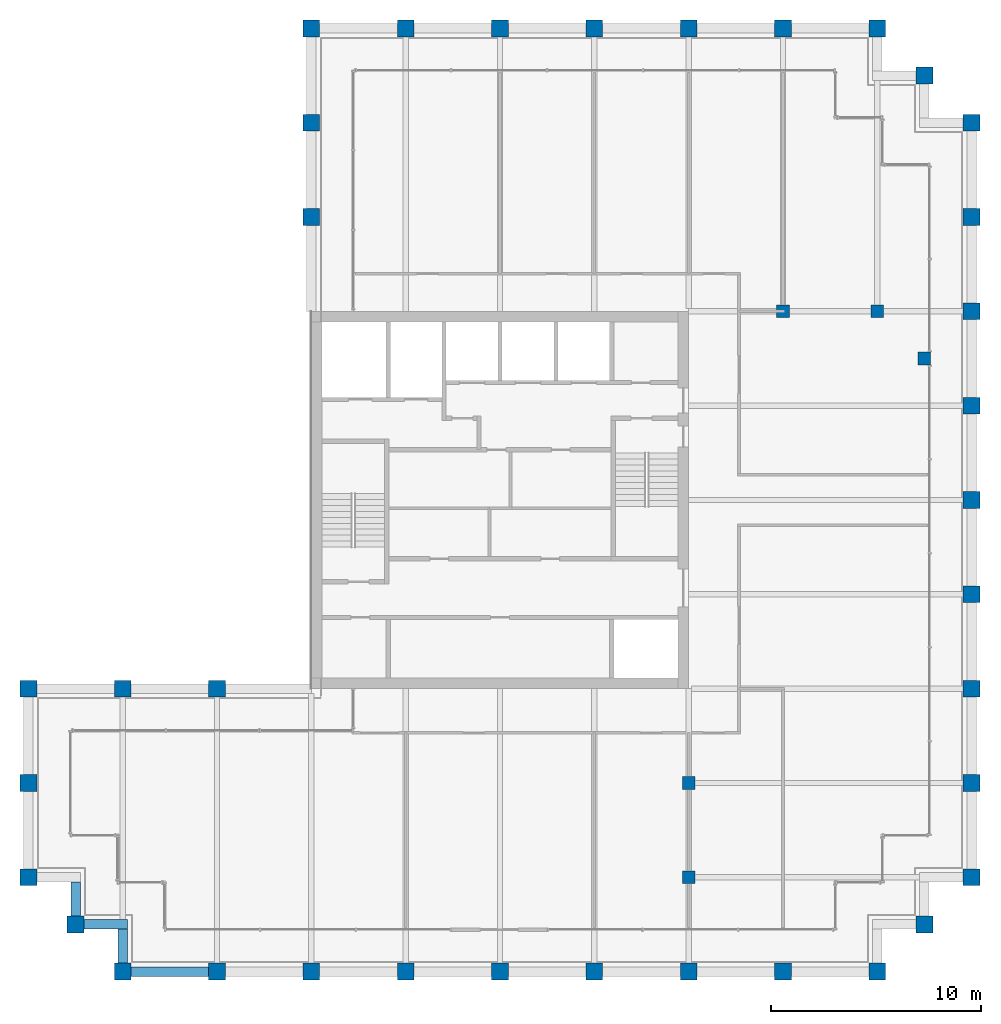
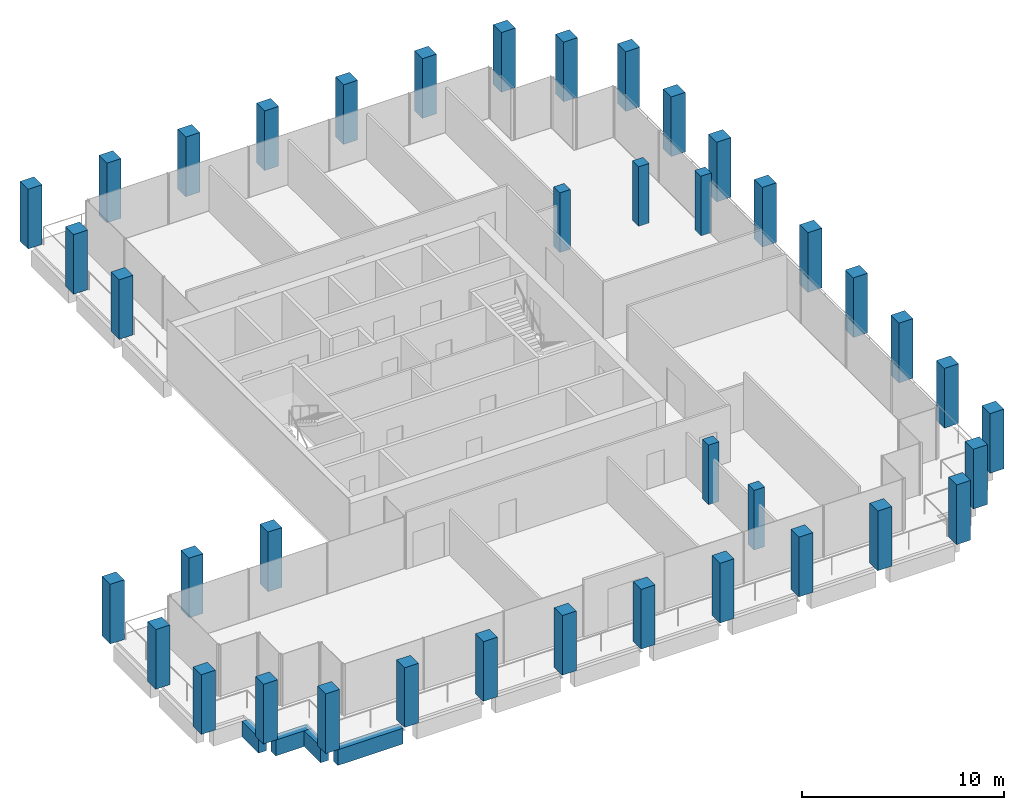
# One storey, part 1 of 30: 40 columns, 4 beams.
"""IFC4 building model written with IfcOpenShell, lengths in metres."""

from ifc_helpers import new_model, si_unit, direction, frame, origin, origin_2d, place, context, subcontext, project, spatial, rectangle, extrude, material, material_profile, profile_set, type_object, element, save


model = new_model("IFC4")

# Units and contexts
model_context = context("Model", 3, precision=1e-05, world=origin(), true_north=direction((0.0, 1.0)))
body_context = subcontext(model_context, "Body", "Model", "MODEL_VIEW")
ifc_project = project(units=[si_unit("LENGTHUNIT", "METRE"), si_unit("AREAUNIT", "SQUARE_METRE"), si_unit("VOLUMEUNIT", "CUBIC_METRE"), si_unit("PLANEANGLEUNIT", "RADIAN"), si_unit("MASSUNIT", "GRAM", prefix="KILO")], contexts=[model_context])

# Site, building, storey
site_placement = place(None, origin())
site = spatial("IfcSite", under=ifc_project, at=site_placement, CompositionType="ELEMENT")
building_placement = place(site_placement, origin())
building = spatial("IfcBuilding", under=site, at=building_placement, Name="Altepetl Exchange Towers", CompositionType="ELEMENT")
storey_placement = place(building_placement, frame((0.0, 0.0, 217.199951171875)))
storey = spatial("IfcBuildingStorey", under=building, at=storey_placement, Name="L55", CompositionType="ELEMENT", Elevation=217.199951171875)

# Columns
ifc_material_1 = material(Name="Concrete C70/85", Category="concrete")
ifc_material_profile_1 = material_profile(ifc_material_1, rectangle(XDim=0.60009765625, YDim=0.60009765625, at=origin_2d()), Name="600 x 600")
ifc_profile_set_1 = profile_set([ifc_material_profile_1], Name="Concrete C70/85")
column_type_1 = type_object("IfcColumnType", Name="Interior column 600", PredefinedType="COLUMN", material=ifc_profile_set_1)
for number, where, name in (
    (1, (58.5, 31.5, 0.0), "col:A:L55:035"),
    (2, (58.5, 36.0, 0.0), "col:A:L55:036"),
    (3, (63.0, 58.5, 0.0), "col:A:L55:037"),
    (4, (67.5, 58.5, 0.0), "col:A:L55:038"),
    (5, (69.75, 56.25, 0.0), "col:A:L55:039"),
):
    element("IfcColumn", number, at=place(storey_placement, frame(where)), inside=storey, type_object=column_type_1, Name=name, PredefinedType="COLUMN", context=body_context, shape_type="SweptSolid", body=[
        extrude(rectangle(XDim=0.60009765625, YDim=0.60009765625, at=origin_2d()), origin(), (0.0, 0.0, 1.0), 3.60009765625),
    ])
ifc_material_2 = material(Name="Concrete C70/85 precast with cantera amarilla facing", Category="concrete")
ifc_material_profile_2 = material_profile(ifc_material_2, rectangle(XDim=0.800048828125, YDim=0.800048828125, at=origin_2d()), Name="800 x 800")
ifc_profile_set_2 = profile_set([ifc_material_profile_2], Name="Concrete C70/85 precast with cantera amarilla facing")
column_type_2 = type_object("IfcColumnType", Name="Perimeter column 800 cantera amarilla", PredefinedType="COLUMN", material=ifc_profile_set_2)
for number, where, name in (
    (6, (58.5, 27.0, 0.0), "col:A:L55:006"),
    (7, (63.0, 27.0, 0.0), "col:A:L55:007"),
    (8, (67.5, 27.0, 0.0), "col:A:L55:008"),
    (9, (69.75, 29.25, 0.0), "col:A:L55:009"),
    (10, (72.0, 31.5, 0.0), "col:A:L55:010"),
    (11, (72.0, 36.0, 0.0), "col:A:L55:011"),
    (12, (72.0, 40.5, 0.0), "col:A:L55:012"),
    (13, (72.0, 45.0, 0.0), "col:A:L55:013"),
    (14, (72.0, 49.5, 0.0), "col:A:L55:014"),
    (15, (72.0, 54.0, 0.0), "col:A:L55:015"),
):
    element("IfcColumn", number, at=place(storey_placement, frame(where)), inside=storey, type_object=column_type_2, Name=name, PredefinedType="COLUMN", context=body_context, shape_type="SweptSolid", body=[
        extrude(rectangle(XDim=0.800048828125, YDim=0.800048828125, at=origin_2d()), origin(), (0.0, 0.0, 1.0), 3.60009765625),
    ])
ifc_material_3 = material(Name="Concrete C70/85 precast with cantera blanca facing", Category="concrete")
ifc_material_profile_3 = material_profile(ifc_material_3, rectangle(XDim=0.800048828125, YDim=0.800048828125, at=origin_2d()), Name="800 x 800")
ifc_profile_set_3 = profile_set([ifc_material_profile_3], Name="Concrete C70/85 precast with cantera blanca facing")
column_type_3 = type_object("IfcColumnType", Name="Perimeter column 800 cantera blanca", PredefinedType="COLUMN", material=ifc_profile_set_3)
for number, where, name in (
    (16, (31.5, 27.0, 0.0), "col:A:L55:000"),
    (17, (36.0, 27.0, 0.0), "col:A:L55:001"),
    (18, (40.5, 27.0, 0.0), "col:A:L55:002"),
    (19, (45.0, 27.0, 0.0), "col:A:L55:003"),
    (20, (49.5, 27.0, 0.0), "col:A:L55:004"),
    (21, (54.0, 27.0, 0.0), "col:A:L55:005"),
    (22, (27.0, 36.0, 0.0), "col:A:L55:032"),
    (23, (27.0, 31.5, 0.0), "col:A:L55:033"),
    (24, (29.25, 29.25, 0.0), "col:A:L55:034"),
):
    element("IfcColumn", number, at=place(storey_placement, frame(where)), inside=storey, type_object=column_type_3, Name=name, PredefinedType="COLUMN", context=body_context, shape_type="SweptSolid", body=[
        extrude(rectangle(XDim=0.800048828125, YDim=0.800048828125, at=origin_2d()), origin(), (0.0, 0.0, 1.0), 3.60009765625),
    ])
ifc_material_4 = material(Name="Concrete C70/85 precast with cantera rosa facing", Category="concrete")
ifc_material_profile_4 = material_profile(ifc_material_4, rectangle(XDim=0.800048828125, YDim=0.800048828125, at=origin_2d()), Name="800 x 800")
ifc_profile_set_4 = profile_set([ifc_material_profile_4], Name="Concrete C70/85 precast with cantera rosa facing")
column_type_4 = type_object("IfcColumnType", Name="Perimeter column 800 cantera rosa", PredefinedType="COLUMN", material=ifc_profile_set_4)
for number, where, name in (
    (25, (72.0, 58.5, 0.0), "col:A:L55:016"),
    (26, (72.0, 63.0, 0.0), "col:A:L55:017"),
    (27, (72.0, 67.5, 0.0), "col:A:L55:018"),
    (28, (69.75, 69.75, 0.0), "col:A:L55:019"),
    (29, (67.5, 72.0, 0.0), "col:A:L55:020"),
    (30, (63.0, 72.0, 0.0), "col:A:L55:021"),
    (31, (58.5, 72.0, 0.0), "col:A:L55:022"),
    (32, (54.0, 72.0, 0.0), "col:A:L55:023"),
    (33, (49.5, 72.0, 0.0), "col:A:L55:024"),
    (34, (45.0, 72.0, 0.0), "col:A:L55:025"),
):
    element("IfcColumn", number, at=place(storey_placement, frame(where)), inside=storey, type_object=column_type_4, Name=name, PredefinedType="COLUMN", context=body_context, shape_type="SweptSolid", body=[
        extrude(rectangle(XDim=0.800048828125, YDim=0.800048828125, at=origin_2d()), origin(), (0.0, 0.0, 1.0), 3.60009765625),
    ])
ifc_material_5 = material(Name="Concrete C70/85 precast with tezontle facing", Category="concrete")
ifc_material_profile_5 = material_profile(ifc_material_5, rectangle(XDim=0.800048828125, YDim=0.800048828125, at=origin_2d()), Name="800 x 800")
ifc_profile_set_5 = profile_set([ifc_material_profile_5], Name="Concrete C70/85 precast with tezontle facing")
column_type_5 = type_object("IfcColumnType", Name="Perimeter column 800 tezontle", PredefinedType="COLUMN", material=ifc_profile_set_5)
for number, where, name in (
    (35, (40.5, 72.0, 0.0), "col:A:L55:026"),
    (36, (40.5, 67.5, 0.0), "col:A:L55:027"),
    (37, (40.5, 63.0, 0.0), "col:A:L55:028"),
    (38, (36.0, 40.5, 0.0), "col:A:L55:029"),
    (39, (31.5, 40.5, 0.0), "col:A:L55:030"),
    (40, (27.0, 40.5, 0.0), "col:A:L55:031"),
):
    element("IfcColumn", number, at=place(storey_placement, frame(where)), inside=storey, type_object=column_type_5, Name=name, PredefinedType="COLUMN", context=body_context, shape_type="SweptSolid", body=[
        extrude(rectangle(XDim=0.800048828125, YDim=0.800048828125, at=origin_2d()), origin(), (0.0, 0.0, 1.0), 3.60009765625),
    ])

# Beams
ifc_material_6 = material(Name="Concrete C50/60 precast with cantera blanca facing", Category="concrete")
ifc_material_profile_6 = material_profile(ifc_material_6, rectangle(XDim=0.449951171875, YDim=0.949951171875, at=origin_2d()), Name="450 x 950")
ifc_profile_set_6 = profile_set([ifc_material_profile_6], Name="Concrete C50/60 precast with cantera blanca facing")
beam_type = type_object("IfcBeamType", Name="Spandrel beam 450x950 cantera blanca", PredefinedType="SPANDREL", material=ifc_profile_set_6)
beam_1_placement = place(storey_placement, frame((31.89990234375, 27.0, -0.625), z_axis=(1.0, 0.0, 0.0), x_axis=(0.0, 1.0, 0.0)))
element("IfcBeam", 41, at=beam_1_placement, inside=storey, type_object=beam_type, Name="sp:A:L55:000", PredefinedType="SPANDREL", context=body_context, shape_type="SweptSolid", body=[
    extrude(rectangle(XDim=0.449951171875, YDim=0.949951171875, at=origin_2d()), origin(), (0.0, 0.0, 1.0), 3.7001953125),
])
beam_2_placement = place(storey_placement, frame((29.25, 31.27490234375, -0.625), z_axis=(0.0, -1.0, 0.0), x_axis=(1.0, 0.0, 0.0)))
element("IfcBeam", 42, at=beam_2_placement, inside=storey, type_object=beam_type, Name="sp:A:L55:039", PredefinedType="SPANDREL", context=body_context, shape_type="SweptSolid", body=[
    extrude(rectangle(XDim=0.449951171875, YDim=0.949951171875, at=origin_2d()), origin(), (0.0, 0.0, 1.0), 1.625),
])
beam_3_placement = place(storey_placement, frame((29.64990234375, 29.25, -0.625), z_axis=(1.0, 0.0, 0.0), x_axis=(0.0, 1.0, 0.0)))
element("IfcBeam", 43, at=beam_3_placement, inside=storey, type_object=beam_type, Name="sp:A:L55:040", PredefinedType="SPANDREL", context=body_context, shape_type="SweptSolid", body=[
    extrude(rectangle(XDim=0.449951171875, YDim=0.949951171875, at=origin_2d()), origin(), (0.0, 0.0, 1.0), 2.0751953125),
])
beam_4_placement = place(storey_placement, frame((31.5, 29.02490234375, -0.625), z_axis=(0.0, -1.0, 0.0), x_axis=(1.0, 0.0, 0.0)))
element("IfcBeam", 44, at=beam_4_placement, inside=storey, type_object=beam_type, Name="sp:A:L55:041", PredefinedType="SPANDREL", context=body_context, shape_type="SweptSolid", body=[
    extrude(rectangle(XDim=0.449951171875, YDim=0.949951171875, at=origin_2d()), origin(), (0.0, 0.0, 1.0), 1.625),
])

save(model, "model.ifc")
